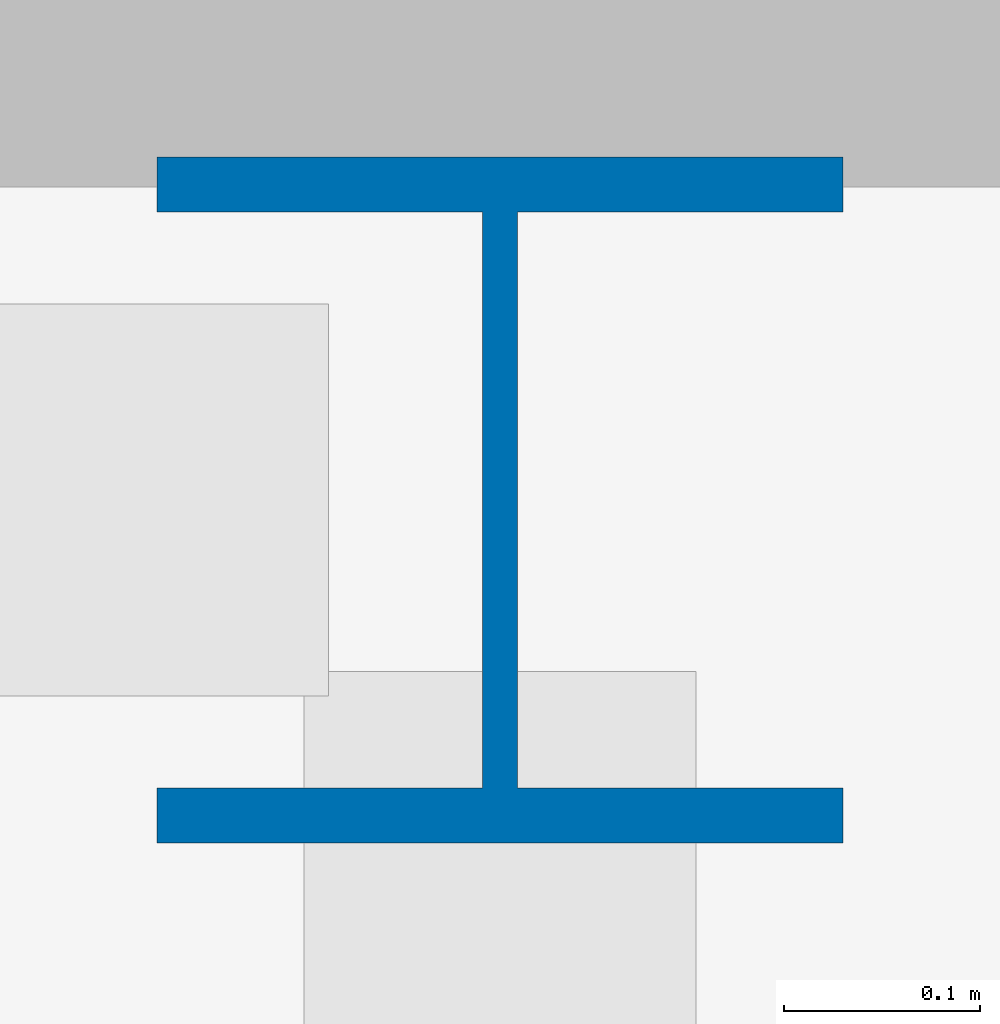
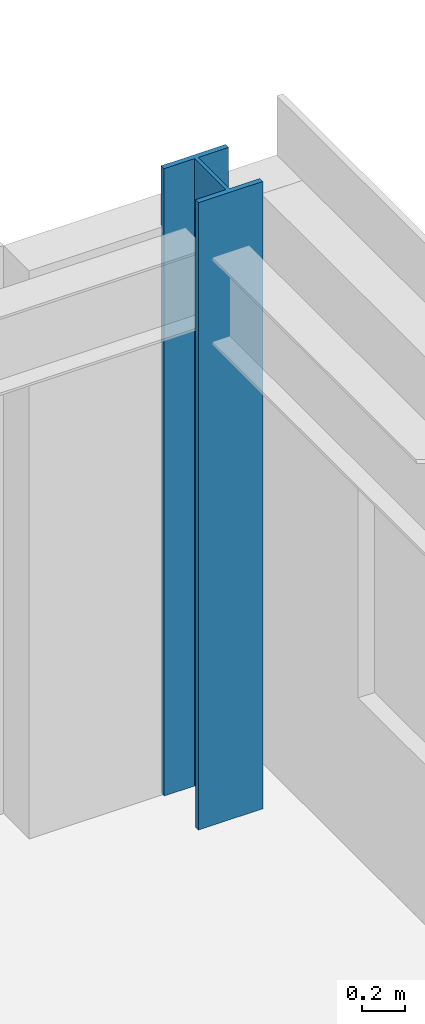
# One storey, part 4 of 28: 1 column.
"""IFC4 building model written with IfcOpenShell, lengths in metres."""

from ifc_helpers import new_model, si_unit, direction, frame, origin, origin_2d, place, context, subcontext, project, spatial, i_section, extrude, source, transform, mapped, material, material_profile, profile_set, type_object, element, save


model = new_model("IFC4")

# Units and contexts
model_context = context("Model", 3, precision=1e-05, world=origin(), true_north=direction((0.0, 1.0)))
body_context = subcontext(model_context, "Body", "Model", "MODEL_VIEW")
ifc_project = project(units=[si_unit("LENGTHUNIT", "METRE"), si_unit("AREAUNIT", "SQUARE_METRE"), si_unit("VOLUMEUNIT", "CUBIC_METRE"), si_unit("PLANEANGLEUNIT", "RADIAN"), si_unit("MASSUNIT", "GRAM", prefix="KILO")], contexts=[model_context])

# Site, building, storey
site_placement = place(None, origin())
site = spatial("IfcSite", under=ifc_project, at=site_placement, CompositionType="ELEMENT")
building_placement = place(site_placement, origin())
building = spatial("IfcBuilding", under=site, at=building_placement, Name="Trelvane Seafront Commons", CompositionType="ELEMENT")
storey_placement = place(building_placement, frame((0.0, 0.0, 295.5)))
storey = spatial("IfcBuildingStorey", under=building, at=storey_placement, Name="L77", CompositionType="ELEMENT", Elevation=295.5)

# Column
ifc_material = material(Name="Steel SM355 (S355)", Category="steel")
ifc_material_profile = material_profile(ifc_material, i_section(OverallWidth=0.35009765625, OverallDepth=0.35009765625, WebThickness=0.01806640625, FlangeThickness=0.028076171875, at=origin_2d()), Name="HD-350x350x18x28")
ifc_profile_set = profile_set([ifc_material_profile], Name="Steel SM355 (S355)")
column_type = type_object("IfcColumnType", Name="STR-COL-HD350", PredefinedType="COLUMN", material=ifc_profile_set)
shared_shape = source(origin(), body_context, "Body", "SweptSolid", [
    extrude(i_section(OverallWidth=0.35009765625, OverallDepth=0.35009765625, WebThickness=0.01806640625, FlangeThickness=0.028076171875, at=origin_2d()), origin(), (0.0, 0.0, 1.0), 3.60009765625),
])
column_placement = place(storey_placement, frame((65.60009765625, 45.10009765625, 0.0), z_axis=(0.0, 0.0, 1.0), x_axis=(1.0, 0.0, 0.0)))
element("IfcColumn", 1, at=column_placement, inside=storey, type_object=column_type, Name="L77 Column TC-CN65.6", PredefinedType="COLUMN", context=body_context, shape_type="MappedRepresentation", body=[
    mapped(shared_shape, transform((0.0, 0.0, 0.0), x_axis=(1.0, 0.0, 0.0), y_axis=(0.0, 1.0, 0.0), z_axis=(0.0, 0.0, 1.0), scale=1.0)),
])

save(model, "model.ifc")
